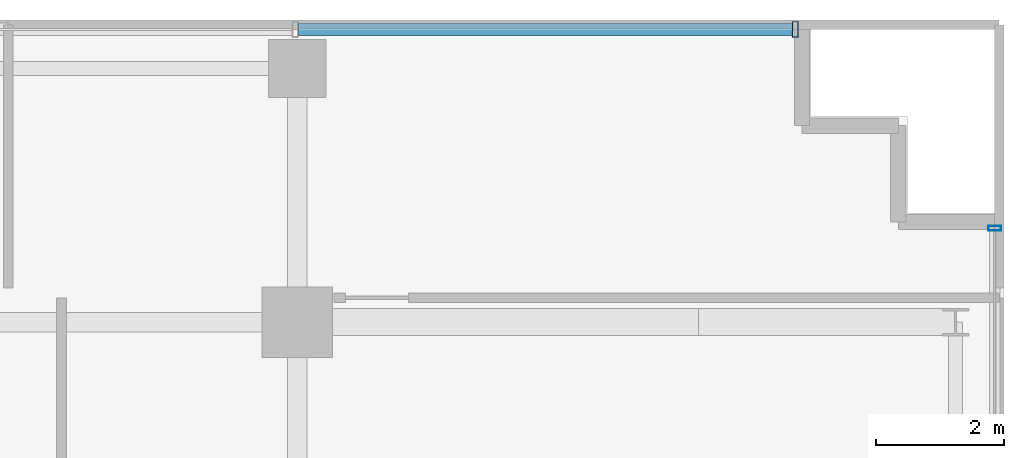
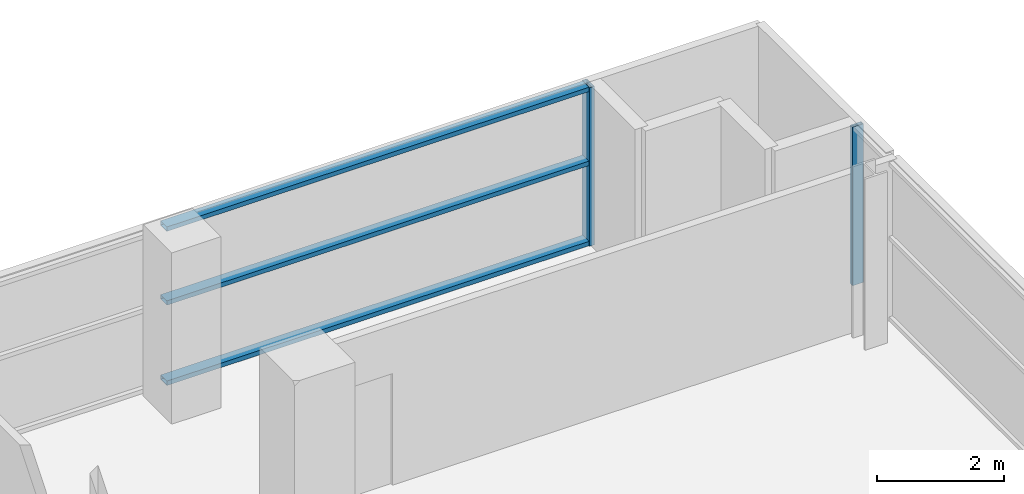
# One storey, part 22 of 31: 5 members, 2 elements without a shape of their own.
"""IFC4 building model written with IfcOpenShell, lengths in metres."""

from ifc_helpers import new_model, si_unit, direction, frame, origin, origin_2d, place, context, subcontext, project, spatial, hollow_rectangle, extrude, source, transform, mapped, material, layer, layer_set, material_profile, profile_set, type_object, element, aggregate, save


model = new_model("IFC4")

# Units and contexts
model_context = context("Model", 3, precision=1e-05, world=origin(), true_north=direction((0.0, 1.0)))
body_context = subcontext(model_context, "Body", "Model", "MODEL_VIEW")
ifc_project = project(units=[si_unit("LENGTHUNIT", "METRE"), si_unit("AREAUNIT", "SQUARE_METRE"), si_unit("VOLUMEUNIT", "CUBIC_METRE"), si_unit("PLANEANGLEUNIT", "RADIAN"), si_unit("MASSUNIT", "GRAM", prefix="KILO")], contexts=[model_context])

# Site, building, storey
site_placement = place(None, origin())
site = spatial("IfcSite", under=ifc_project, at=site_placement, CompositionType="ELEMENT")
building_placement = place(site_placement, origin())
building = spatial("IfcBuilding", under=site, at=building_placement, Name="Zarnakvel Exchange Tower", CompositionType="ELEMENT")
storey_placement = place(building_placement, frame((0.0, 0.0, 53.800048828125)))
storey = spatial("IfcBuildingStorey", under=building, at=storey_placement, Name="L14", CompositionType="ELEMENT", Elevation=53.800048828125)

# Curtain wall, members
ifc_material = material(Name="Architectural Bronze Anodised Aluminium", Category="aluminium")
ifc_layer_1 = layer(ifc_material, 0.239990234375)
ifc_layer_set_1 = layer_set([ifc_layer_1], Name="Architectural Bronze Anodised Aluminium")
curtain_wall_type_1 = type_object("IfcCurtainWallType", Name="CW-02", PredefinedType="NOTDEFINED", material=ifc_layer_set_1)
curtain_wall_1_placement = place(storey_placement, origin())
curtain_wall_1 = element("IfcCurtainWall", 1, at=curtain_wall_1_placement, inside=storey, type_object=curtain_wall_type_1, Name="L14 Curtain Wall CW-L14-N1 (CW-02)", PredefinedType="NOTDEFINED")
ifc_material_profile_1 = material_profile(ifc_material, hollow_rectangle(XDim=0.199951171875, YDim=0.0849609375, WallThickness=0.0048828125, at=origin_2d()))
ifc_profile_set_1 = profile_set([ifc_material_profile_1], Name="Architectural Bronze Anodised Aluminium")
member_type_1 = type_object("IfcMemberType", Name="CWT-02", PredefinedType="USERDEFINED", material=ifc_profile_set_1)
shared_shape_1 = source(origin(), body_context, "Body", "SweptSolid", [
    extrude(hollow_rectangle(XDim=0.199951171875, YDim=0.0849609375, WallThickness=0.0048828125, at=origin_2d()), origin(), (0.0, 0.0, 1.0), 7.693603515625),
])
member_1_placement = place(storey_placement, frame((21.616455078125, 18.06005859375, 0.04248046875), z_axis=(1.0, 0.0, 0.0), x_axis=(0.0, 1.0, 0.0)))
member_1 = element("IfcMember", 2, at=member_1_placement, type_object=member_type_1, Name="CW-02 transom 7.1", ObjectType="TRANSOM", PredefinedType="USERDEFINED", context=body_context, shape_type="MappedRepresentation", body=[
    mapped(shared_shape_1, transform((0.0, 0.0, 0.0), x_axis=(1.0, 0.0, 0.0), y_axis=(0.0, 1.0, 0.0), z_axis=(0.0, 0.0, 1.0), scale=1.0)),
])
member_2_placement = place(storey_placement, frame((21.616455078125, 18.06005859375, 1.588623046875), z_axis=(1.0, 0.0, 0.0), x_axis=(0.0, 1.0, 0.0)))
member_2 = element("IfcMember", 3, at=member_2_placement, type_object=member_type_1, Name="CW-02 transom 7.2", ObjectType="TRANSOM", PredefinedType="USERDEFINED", context=body_context, shape_type="MappedRepresentation", body=[
    mapped(shared_shape_1, transform((0.0, 0.0, 0.0), x_axis=(1.0, 0.0, 0.0), y_axis=(0.0, 1.0, 0.0), z_axis=(0.0, 0.0, 1.0), scale=1.0)),
])
member_3_placement = place(storey_placement, frame((21.616455078125, 18.06005859375, 3.012451171875), z_axis=(1.0, 0.0, 0.0), x_axis=(0.0, 1.0, 0.0)))
member_3 = element("IfcMember", 4, at=member_3_placement, type_object=member_type_1, Name="CW-02 transom 7.3", ObjectType="TRANSOM", PredefinedType="USERDEFINED", context=body_context, shape_type="MappedRepresentation", body=[
    mapped(shared_shape_1, transform((0.0, 0.0, 0.0), x_axis=(1.0, 0.0, 0.0), y_axis=(0.0, 1.0, 0.0), z_axis=(0.0, 0.0, 1.0), scale=1.0)),
])
ifc_material_profile_2 = material_profile(ifc_material, hollow_rectangle(XDim=0.239990234375, YDim=0.090087890625, WallThickness=0.006103515625, at=origin_2d()))
ifc_profile_set_2 = profile_set([ifc_material_profile_2], Name="Architectural Bronze Anodised Aluminium")
member_type_2 = type_object("IfcMemberType", Name="CWM-02", PredefinedType="MULLION", material=ifc_profile_set_2)
shared_shape_2 = source(origin(), body_context, "Body", "SweptSolid", [
    extrude(hollow_rectangle(XDim=0.239990234375, YDim=0.090087890625, WallThickness=0.006103515625, at=origin_2d()), origin(), (0.0, 0.0, 1.0), 3.054931640625),
])
member_4_placement = place(storey_placement, frame((29.35498046875, 18.06005859375, 0.0), z_axis=(0.0, 0.0, 1.0), x_axis=(0.0, 1.0, 0.0)))
member_4 = element("IfcMember", 5, at=member_4_placement, type_object=member_type_2, Name="CW-02 mullion 8", PredefinedType="MULLION", context=body_context, shape_type="MappedRepresentation", body=[
    mapped(shared_shape_2, transform((0.0, 0.0, 0.0), x_axis=(1.0, 0.0, 0.0), y_axis=(0.0, 1.0, 0.0), z_axis=(0.0, 0.0, 1.0), scale=1.0)),
])
aggregate(curtain_wall_1, [member_4, member_1, member_2, member_3])

# Curtain wall, member
ifc_layer_2 = layer(ifc_material, 0.199951171875)
ifc_layer_set_2 = layer_set([ifc_layer_2], Name="Architectural Bronze Anodised Aluminium")
curtain_wall_type_2 = type_object("IfcCurtainWallType", Name="CW-04", PredefinedType="NOTDEFINED", material=ifc_layer_set_2)
curtain_wall_2_placement = place(storey_placement, origin())
curtain_wall_2 = element("IfcCurtainWall", 6, at=curtain_wall_2_placement, inside=storey, type_object=curtain_wall_type_2, Name="L14 Curtain Wall CW-L14-E1 (CW-04)", PredefinedType="NOTDEFINED")
ifc_material_profile_3 = material_profile(ifc_material, hollow_rectangle(XDim=0.199951171875, YDim=0.074951171875, WallThickness=0.0048828125, at=origin_2d()))
ifc_profile_set_3 = profile_set([ifc_material_profile_3], Name="Architectural Bronze Anodised Aluminium")
member_type_3 = type_object("IfcMemberType", Name="CWM-04", PredefinedType="MULLION", material=ifc_profile_set_3)
shared_shape_3 = source(origin(), body_context, "Body", "SweptSolid", [
    extrude(hollow_rectangle(XDim=0.199951171875, YDim=0.074951171875, WallThickness=0.0048828125, at=origin_2d()), origin(), (0.0, 0.0, 1.0), 3.054931640625),
])
member_5_placement = place(storey_placement, frame((32.4599609375, 14.96240234375, 0.0), z_axis=(0.0, 0.0, 1.0), x_axis=(-1.0, 0.0, 0.0)))
member_5 = element("IfcMember", 7, at=member_5_placement, type_object=member_type_3, Name="CW-04 mullion 5", PredefinedType="MULLION", context=body_context, shape_type="MappedRepresentation", body=[
    mapped(shared_shape_3, transform((0.0, 0.0, 0.0), x_axis=(1.0, 0.0, 0.0), y_axis=(0.0, 1.0, 0.0), z_axis=(0.0, 0.0, 1.0), scale=1.0)),
])
aggregate(curtain_wall_2, [member_5])

save(model, "model.ifc")
